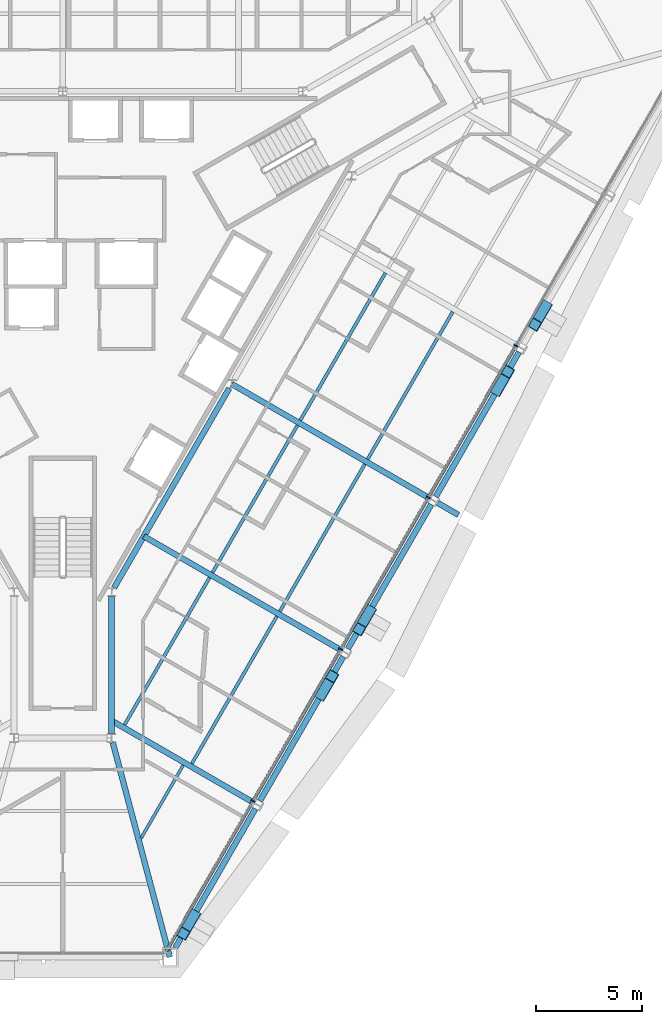
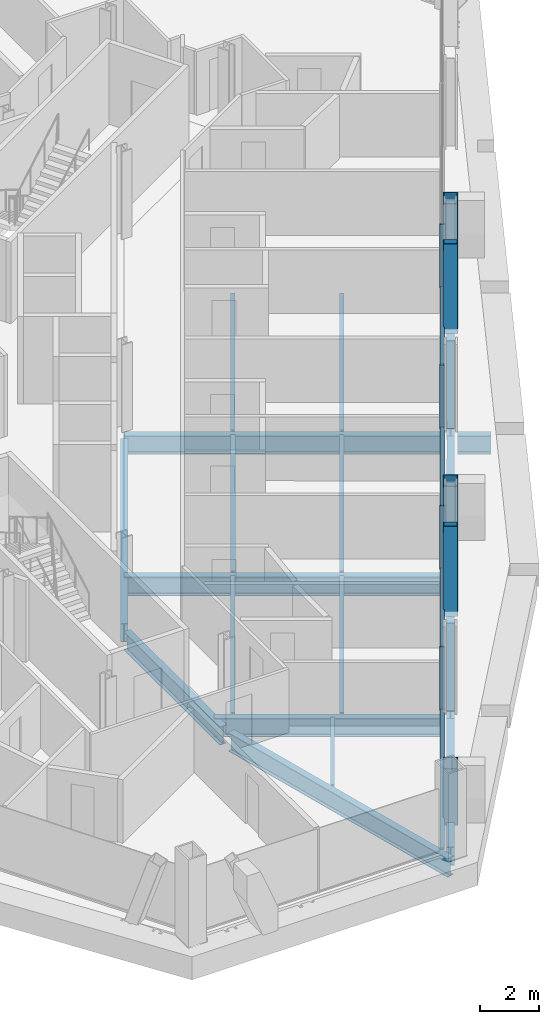
# One storey, part 5 of 17: 18 beams, 13 members, 1 element without a shape of its own.
"""IFC4 building model written with IfcOpenShell, lengths in metres."""

from ifc_helpers import new_model, si_unit, direction, frame, origin, origin_2d, place, context, subcontext, project, spatial, rectangle, hollow_rectangle, i_section, extrude, material, material_profile, profile_set, type_object, element, aggregate, save


model = new_model("IFC4")

# Units and contexts
model_context = context("Model", 3, precision=1e-05, world=origin(), true_north=direction((0.0, 1.0)))
body_context = subcontext(model_context, "Body", "Model", "MODEL_VIEW")
ifc_project = project(units=[si_unit("LENGTHUNIT", "METRE"), si_unit("AREAUNIT", "SQUARE_METRE"), si_unit("VOLUMEUNIT", "CUBIC_METRE"), si_unit("PLANEANGLEUNIT", "RADIAN"), si_unit("MASSUNIT", "GRAM", prefix="KILO")], contexts=[model_context])

# Site, building, storey
site_placement = place(None, origin())
site = spatial("IfcSite", under=ifc_project, at=site_placement, CompositionType="ELEMENT")
building_placement = place(site_placement, origin())
building = spatial("IfcBuilding", under=site, at=building_placement, Name="Verrane Prism Tower", CompositionType="ELEMENT")
storey_placement = place(building_placement, frame((0.0, 0.0, 136.0)))
storey = spatial("IfcBuildingStorey", under=building, at=storey_placement, Name="L33", CompositionType="ELEMENT", Elevation=136.0)

# Beams
ifc_material_1 = material(Name="Steel A992", Category="steel")
ifc_material_profile_1 = material_profile(ifc_material_1, i_section(OverallWidth=0.2666015625, OverallDepth=0.7568359375, WebThickness=0.013916015625, FlangeThickness=0.019287109375, FilletRadius=0.0166015625, at=origin_2d()), Name="W30x108")
ifc_profile_set_1 = profile_set([ifc_material_profile_1], Name="Steel A992")
beam_type_1 = type_object("IfcBeamType", Name="Core ring girder W30x108", PredefinedType="BEAM", material=ifc_profile_set_1)
beam_1_placement = place(storey_placement, frame((2.300048828125, -21.082763671875, -0.62841796875), z_axis=(0.0, 1.0, 0.0), x_axis=(-1.0, 0.0, 0.0)))
element("IfcBeam", 1, at=beam_1_placement, inside=storey, type_object=beam_type_1, Name="Core ring girder L33", PredefinedType="BEAM", context=body_context, shape_type="SweptSolid", body=[
    extrude(i_section(OverallWidth=0.2666015625, OverallDepth=0.7568359375, WebThickness=0.013916015625, FlangeThickness=0.019287109375, FilletRadius=0.0166015625, at=origin_2d()), origin(), (0.0, 0.0, 1.0), 6.46337890625),
])
beam_2_placement = place(storey_placement, frame((2.4150390625, -14.220703125, -0.62841796875), z_axis=(0.500034555306, 0.86600545235, 0.0), x_axis=(-0.86600545235, 0.500034555306, 0.0)))
element("IfcBeam", 2, at=beam_2_placement, inside=storey, type_object=beam_type_1, Name="Core ring girder L33", PredefinedType="BEAM", context=body_context, shape_type="SweptSolid", body=[
    extrude(i_section(OverallWidth=0.2666015625, OverallDepth=0.7568359375, WebThickness=0.013916015625, FlangeThickness=0.019287109375, FilletRadius=0.0166015625, at=origin_2d()), origin(), (0.0, 0.0, 1.0), 10.879150390625),
])
ifc_material_2 = material(Name="Steel A992", Category="steel")
ifc_material_profile_2 = material_profile(ifc_material_2, i_section(OverallWidth=0.2666015625, OverallDepth=0.76708984375, WebThickness=0.014892578125, FlangeThickness=0.023681640625, FilletRadius=0.0166015625, at=origin_2d()), Name="W30x124")
ifc_profile_set_2 = profile_set([ifc_material_profile_2], Name="Steel A992")
beam_type_2 = type_object("IfcBeamType", Name="Corner girder W30x124", PredefinedType="BEAM", material=ifc_profile_set_2)
beam_3_placement = place(storey_placement, frame((5.048828125, -31.6357421875, -0.603515625), z_axis=(-0.25700370652, 0.966410417387, 0.0), x_axis=(-0.966410417387, -0.25700370652, 0.0)))
element("IfcBeam", 3, at=beam_3_placement, inside=storey, type_object=beam_type_2, Name="Corner girder L33", PredefinedType="BEAM", context=body_context, shape_type="SweptSolid", body=[
    extrude(i_section(OverallWidth=0.2666015625, OverallDepth=0.76708984375, WebThickness=0.014892578125, FlangeThickness=0.023681640625, FilletRadius=0.0166015625, at=origin_2d()), origin(), (0.0, 0.0, 1.0), 10.470458984375),
])

# Members
ifc_material_3 = material(Name="Steel A1085 Grade A", Category="steel")
ifc_material_profile_3 = material_profile(ifc_material_3, hollow_rectangle(XDim=0.508056640625, YDim=0.508056640625, WallThickness=0.025390625, InnerFilletRadius=0.0126953125, OuterFilletRadius=0.0380859375, at=origin_2d()), Name="HSS20x20x1")
ifc_profile_set_3 = profile_set([ifc_material_profile_3], Name="Steel A1085 Grade A")
member_type_1 = type_object("IfcMemberType", Name="Facade brace HSS20x20x1", PredefinedType="BRACE", material=ifc_profile_set_3)
member_1_placement = place(storey_placement, frame((6.18408203125, -29.6728515625, -0.24267578125), z_axis=(-0.156036437753, -0.270673879917, 0.949941198614), x_axis=(0.866353965071, -0.499430482855, 0.0)))
element("IfcMember", 4, at=member_1_placement, inside=storey, type_object=member_type_1, Name="Facade brace SE0 L33", PredefinedType="BRACE", context=body_context, shape_type="SweptSolid", body=[
    extrude(hollow_rectangle(XDim=0.508056640625, YDim=0.508056640625, WallThickness=0.025390625, InnerFilletRadius=0.0126953125, OuterFilletRadius=0.0380859375, at=origin_2d()), origin(), (0.0, 0.0, 1.0), 3.166748046875),
])
for number, where, z_axis, x_axis, name in (
    (5, (12.202880859375, -19.2470703125, -0.24267578125), (0.156487685376, 0.270654316924, 0.949872541479), (-0.865713128384, 0.500540487217, 0.0), "Facade brace SE1 L33"),
    (6, (14.47705078125, -15.31298828125, -0.24267578125), (-0.156415747353, -0.270586137609, 0.949903814138), (0.86575820934, -0.500462509046, 0.0), "Facade brace SE2 L33"),
):
    element("IfcMember", number, at=place(storey_placement, frame(where, z_axis=z_axis, x_axis=x_axis)), inside=storey, type_object=member_type_1, Name=name, PredefinedType="BRACE", context=body_context, shape_type="SweptSolid", body=[
        extrude(hollow_rectangle(XDim=0.508056640625, YDim=0.508056640625, WallThickness=0.025390625, InnerFilletRadius=0.0126953125, OuterFilletRadius=0.0380859375, at=origin_2d()), origin(), (0.0, 0.0, 1.0), 3.1669921875),
    ])
member_2_placement = place(storey_placement, frame((20.495849609375, -4.8798828125, -0.24267578125), z_axis=(0.156020148581, 0.271031048622, 0.949842031035), x_axis=(-0.866661212793, 0.498897125908, 0.0)))
element("IfcMember", 7, at=member_2_placement, inside=storey, type_object=member_type_1, Name="Facade brace SE3 L33", PredefinedType="BRACE", context=body_context, shape_type="SweptSolid", body=[
    extrude(hollow_rectangle(XDim=0.508056640625, YDim=0.508056640625, WallThickness=0.025390625, InnerFilletRadius=0.0126953125, OuterFilletRadius=0.0380859375, at=origin_2d()), origin(), (0.0, 0.0, 1.0), 3.167236328125),
])
member_3_placement = place(storey_placement, frame((22.76708984375, -0.94287109375, -0.24267578125), z_axis=(-0.156487685376, -0.270654316924, 0.949872541479), x_axis=(0.865713128384, -0.500540487217, 0.0)))
element("IfcMember", 8, at=member_3_placement, inside=storey, type_object=member_type_1, Name="Facade brace SE4 L33", PredefinedType="BRACE", context=body_context, shape_type="SweptSolid", body=[
    extrude(hollow_rectangle(XDim=0.508056640625, YDim=0.508056640625, WallThickness=0.025390625, InnerFilletRadius=0.0126953125, OuterFilletRadius=0.0380859375, at=origin_2d()), origin(), (0.0, 0.0, 1.0), 3.1669921875),
])

# Beams
ifc_material_4 = material(Name="Steel A992", Category="steel")
ifc_material_profile_4 = material_profile(ifc_material_4, i_section(OverallWidth=0.140380859375, OverallDepth=0.40380859375, WebThickness=0.007080078125, FlangeThickness=0.01123046875, FilletRadius=0.01025390625, at=origin_2d()), Name="W16x31")
ifc_profile_set_4 = profile_set([ifc_material_profile_4], Name="Steel A992")
beam_type_3 = type_object("IfcBeamType", Name="Floor beam W16x31", PredefinedType="BEAM", material=ifc_profile_set_4)
beam_4_placement = place(storey_placement, frame((3.69482421875, -26.025390625, -0.36181640625), z_axis=(0.500073727646, 0.865982832923, 0.0), x_axis=(-0.865982832923, 0.500073727646, 0.0)))
element("IfcBeam", 9, at=beam_4_placement, inside=storey, type_object=beam_type_3, Name="Floor beam L33", PredefinedType="BEAM", context=body_context, shape_type="SweptSolid", body=[
    extrude(i_section(OverallWidth=0.140380859375, OverallDepth=0.40380859375, WebThickness=0.007080078125, FlangeThickness=0.01123046875, FilletRadius=0.01025390625, at=origin_2d()), origin(), (0.0, 0.0, 1.0), 3.970703125),
])
ifc_material_5 = material(Name="Steel A992", Category="steel")
ifc_material_profile_5 = material_profile(ifc_material_5, i_section(OverallWidth=0.15234375, OverallDepth=0.449462890625, WebThickness=0.007568359375, FlangeThickness=0.0107421875, FilletRadius=0.01025390625, at=origin_2d()), Name="W18x35")
ifc_profile_set_5 = profile_set([ifc_material_profile_5], Name="Steel A992")
beam_type_4 = type_object("IfcBeamType", Name="Floor beam W18x35", PredefinedType="BEAM", material=ifc_profile_set_5)
beam_5_placement = place(storey_placement, frame((6.0869140625, -22.51318359375, -0.384765625), z_axis=(0.499983128917, 0.86603514409, 0.0), x_axis=(-0.86603514409, 0.499983128917, 0.0)))
element("IfcBeam", 10, at=beam_5_placement, inside=storey, type_object=beam_type_4, Name="Floor beam L33", PredefinedType="BEAM", context=body_context, shape_type="SweptSolid", body=[
    extrude(i_section(OverallWidth=0.15234375, OverallDepth=0.449462890625, WebThickness=0.007568359375, FlangeThickness=0.0107421875, FilletRadius=0.01025390625, at=origin_2d()), origin(), (0.0, 0.0, 1.0), 8.026123046875),
])
for number, where, z_axis, x_axis, name in (
    (11, (2.913330078125, -20.68017578125, -0.384765625), (0.499992771462, 0.866029577143, 0.0), (-0.866029577143, 0.499992771462, 0.0), "Floor beam L33"),
    (12, (10.235595703125, -15.33251953125, -0.384765625), (0.500005942522, 0.86602197284, 0.0), (-0.86602197284, 0.500005942522, 0.0), "Floor beam L33"),
):
    element("IfcBeam", number, at=place(storey_placement, frame(where, z_axis=z_axis, x_axis=x_axis)), inside=storey, type_object=beam_type_4, Name=name, PredefinedType="BEAM", context=body_context, shape_type="SweptSolid", body=[
        extrude(i_section(OverallWidth=0.15234375, OverallDepth=0.449462890625, WebThickness=0.007568359375, FlangeThickness=0.0107421875, FilletRadius=0.01025390625, at=origin_2d()), origin(), (0.0, 0.0, 1.0), 8.0263671875),
    ])
beam_6_placement = place(storey_placement, frame((7.061279296875, -13.498291015625, -0.384765625), z_axis=(0.499996300355, 0.866027539765, 0.0), x_axis=(-0.866027539765, 0.499996300355, 0.0)))
element("IfcBeam", 13, at=beam_6_placement, inside=storey, type_object=beam_type_4, Name="Floor beam L33", PredefinedType="BEAM", context=body_context, shape_type="SweptSolid", body=[
    extrude(i_section(OverallWidth=0.15234375, OverallDepth=0.449462890625, WebThickness=0.007568359375, FlangeThickness=0.0107421875, FilletRadius=0.01025390625, at=origin_2d()), origin(), (0.0, 0.0, 1.0), 8.02587890625),
])
for number, where, z_axis, x_axis, name in (
    (14, (14.380615234375, -8.1494140625, -0.384765625), (0.500007577232, 0.866021029023, 0.0), (-0.866021029023, 0.500007577232, 0.0), "Floor beam L33"),
    (15, (11.20458984375, -6.314453125, -0.384765625), (0.500007577232, 0.866021029023, 0.0), (-0.866021029023, 0.500007577232, 0.0), "Floor beam L33"),
):
    element("IfcBeam", number, at=place(storey_placement, frame(where, z_axis=z_axis, x_axis=x_axis)), inside=storey, type_object=beam_type_4, Name=name, PredefinedType="BEAM", context=body_context, shape_type="SweptSolid", body=[
        extrude(i_section(OverallWidth=0.15234375, OverallDepth=0.449462890625, WebThickness=0.007568359375, FlangeThickness=0.0107421875, FilletRadius=0.01025390625, at=origin_2d()), origin(), (0.0, 0.0, 1.0), 8.02978515625),
    ])

# Curtain wall, members
ifc_material_6 = material(Name="Aluminium framed insulated glazing", Category="aluminium")
curtain_wall_type = type_object("IfcCurtainWallType", Name="Curtain wall CW-A 8400 module", PredefinedType="NOTDEFINED", material=ifc_material_6)
curtain_wall_placement = place(storey_placement, origin())
curtain_wall = element("IfcCurtainWall", 16, at=curtain_wall_placement, inside=storey, type_object=curtain_wall_type, Name="Glazed curtain wall south-east face L33", PredefinedType="NOTDEFINED")
ifc_material_7 = material(Name="Aluminium alloy 6063-T6", Category="aluminium")
ifc_material_profile_6 = material_profile(ifc_material_7, rectangle(XDim=0.199951171875, YDim=0.070068359375, at=origin_2d()), Name="Mullion 70x200 aluminium")
ifc_profile_set_6 = profile_set([ifc_material_profile_6], Name="Aluminium alloy 6063-T6")
member_type_2 = type_object("IfcMemberType", Name="Mullion 70x200 aluminium", PredefinedType="MULLION", material=ifc_profile_set_6)
member_4_placement = place(storey_placement, frame((8.975830078125, -24.275390625, 0.0), z_axis=(0.0, 0.0, 1.0), x_axis=(-0.866025120648, 0.500000490406, 0.0)))
member_4 = element("IfcMember", 17, at=member_4_placement, type_object=member_type_2, Name="CW32.6 mullion 2", PredefinedType="MULLION", context=body_context, shape_type="SweptSolid", body=[
    extrude(rectangle(XDim=0.199951171875, YDim=0.070068359375, at=origin_2d()), origin(), (0.0, 0.0, 1.0), 2.61279296875),
])
member_5_placement = place(storey_placement, frame((13.109619140625, -17.115478515625, 0.0), z_axis=(0.0, 0.0, 1.0), x_axis=(-0.866025120648, 0.500000490406, 0.0)))
member_5 = element("IfcMember", 18, at=member_5_placement, type_object=member_type_2, Name="CW32.6 mullion 3", PredefinedType="MULLION", context=body_context, shape_type="SweptSolid", body=[
    extrude(rectangle(XDim=0.199951171875, YDim=0.070068359375, at=origin_2d()), origin(), (0.0, 0.0, 1.0), 2.61279296875),
])
member_6_placement = place(storey_placement, frame((17.243408203125, -9.95556640625, 0.0), z_axis=(0.0, 0.0, 1.0), x_axis=(-0.866025120648, 0.500000490406, 0.0)))
member_6 = element("IfcMember", 19, at=member_6_placement, type_object=member_type_2, Name="CW32.6 mullion 4", PredefinedType="MULLION", context=body_context, shape_type="SweptSolid", body=[
    extrude(rectangle(XDim=0.199951171875, YDim=0.070068359375, at=origin_2d()), origin(), (0.0, 0.0, 1.0), 2.61279296875),
])
member_7_placement = place(storey_placement, frame((21.377197265625, -2.79541015625, 0.0), z_axis=(0.0, 0.0, 1.0), x_axis=(-0.866025120648, 0.500000490406, 0.0)))
member_7 = element("IfcMember", 20, at=member_7_placement, type_object=member_type_2, Name="CW32.6 mullion 5", PredefinedType="MULLION", context=body_context, shape_type="SweptSolid", body=[
    extrude(rectangle(XDim=0.199951171875, YDim=0.070068359375, at=origin_2d()), origin(), (0.0, 0.0, 1.0), 2.61279296875),
])

# Beams
ifc_material_8 = material(Name="Steel A992", Category="steel")
ifc_material_profile_7 = material_profile(ifc_material_8, i_section(OverallWidth=0.2666015625, OverallDepth=0.76708984375, WebThickness=0.014892578125, FlangeThickness=0.023681640625, FilletRadius=0.0166015625, at=origin_2d()), Name="W30x124")
ifc_profile_set_7 = profile_set([ifc_material_profile_7], Name="Steel A992")
beam_type_5 = type_object("IfcBeamType", Name="Radial girder W30x124", PredefinedType="BEAM", material=ifc_profile_set_7)
beam_7_placement = place(storey_placement, frame((8.9931640625, -24.34619140625, -0.603515625), z_axis=(-0.866039870605, 0.499974941895, 0.0), x_axis=(-0.499974941895, -0.866039870605, 0.0)))
element("IfcBeam", 21, at=beam_7_placement, inside=storey, type_object=beam_type_5, Name="Radial girder L33", PredefinedType="BEAM", context=body_context, shape_type="SweptSolid", body=[
    extrude(i_section(OverallWidth=0.2666015625, OverallDepth=0.76708984375, WebThickness=0.014892578125, FlangeThickness=0.023681640625, FilletRadius=0.0166015625, at=origin_2d()), origin(), (0.0, 0.0, 1.0), 7.728515625),
])
beam_8_placement = place(storey_placement, frame((13.14306640625, -17.166259765625, -0.603515625), z_axis=(-0.86602769501, 0.499996031459, 0.0), x_axis=(-0.499996031459, -0.86602769501, 0.0)))
element("IfcBeam", 22, at=beam_8_placement, inside=storey, type_object=beam_type_5, Name="Radial girder L33", PredefinedType="BEAM", context=body_context, shape_type="SweptSolid", body=[
    extrude(i_section(OverallWidth=0.2666015625, OverallDepth=0.76708984375, WebThickness=0.014892578125, FlangeThickness=0.023681640625, FilletRadius=0.0166015625, at=origin_2d()), origin(), (0.0, 0.0, 1.0), 10.76318359375),
])
beam_9_placement = place(storey_placement, frame((17.293212890625, -9.986328125, -0.603515625), z_axis=(-0.866028508142, 0.499994623057, 0.0), x_axis=(-0.499994623057, -0.866028508142, 0.0)))
element("IfcBeam", 23, at=beam_9_placement, inside=storey, type_object=beam_type_5, Name="Radial girder L33", PredefinedType="BEAM", context=body_context, shape_type="SweptSolid", body=[
    extrude(i_section(OverallWidth=0.2666015625, OverallDepth=0.76708984375, WebThickness=0.014892578125, FlangeThickness=0.023681640625, FilletRadius=0.0166015625, at=origin_2d()), origin(), (0.0, 0.0, 1.0), 10.76708984375),
])
beam_10_placement = place(storey_placement, frame((17.683349609375, -10.211669921875, -0.603515625), z_axis=(0.866031132047, -0.499990078228, 0.0), x_axis=(0.499990078228, 0.866031132047, 0.0)))
element("IfcBeam", 24, at=beam_10_placement, inside=storey, type_object=beam_type_5, Name="Cantilever girder L33", PredefinedType="BEAM", context=body_context, shape_type="SweptSolid", body=[
    extrude(i_section(OverallWidth=0.2666015625, OverallDepth=0.76708984375, WebThickness=0.014892578125, FlangeThickness=0.023681640625, FilletRadius=0.0166015625, at=origin_2d()), origin(), (0.0, 0.0, 1.0), 1.1318359375),
])
ifc_material_9 = material(Name="Steel A992", Category="steel")
ifc_material_profile_8 = material_profile(ifc_material_9, i_section(OverallWidth=0.2666015625, OverallDepth=0.7568359375, WebThickness=0.013916015625, FlangeThickness=0.019287109375, FilletRadius=0.0166015625, at=origin_2d()), Name="W30x108")
ifc_profile_set_8 = profile_set([ifc_material_profile_8], Name="Steel A992")
beam_type_6 = type_object("IfcBeamType", Name="Spandrel beam W30x108", PredefinedType="SPANDREL", material=ifc_profile_set_8)
beam_11_placement = place(storey_placement, frame((5.3095703125, -31.18994140625, -0.53857421875), z_axis=(0.499498748006, 0.866314608408, 0.0), x_axis=(-0.866314608408, 0.499498748006, 0.0)))
element("IfcBeam", 25, at=beam_11_placement, inside=storey, type_object=beam_type_6, Name="Spandrel beam L33", PredefinedType="SPANDREL", context=body_context, shape_type="SweptSolid", body=[
    extrude(i_section(OverallWidth=0.2666015625, OverallDepth=0.7568359375, WebThickness=0.013916015625, FlangeThickness=0.019287109375, FilletRadius=0.0166015625, at=origin_2d()), origin(), (0.0, 0.0, 1.0), 7.558837890625),
])
for number, where, z_axis, x_axis, name in (
    (26, (9.294921875, -24.278564453125, -0.53857421875), (0.500410353056, 0.865788356675, 0.0), (-0.865788356675, 0.500410353056, 0.0), "Spandrel beam L33"),
    (27, (13.44482421875, -17.0986328125, -0.53857421875), (0.500410353056, 0.865788356675, 0.0), (-0.865788356675, 0.500410353056, 0.0), "Spandrel beam L33"),
):
    element("IfcBeam", number, at=place(storey_placement, frame(where, z_axis=z_axis, x_axis=x_axis)), inside=storey, type_object=beam_type_6, Name=name, PredefinedType="SPANDREL", context=body_context, shape_type="SweptSolid", body=[
        extrude(i_section(OverallWidth=0.2666015625, OverallDepth=0.7568359375, WebThickness=0.013916015625, FlangeThickness=0.019287109375, FilletRadius=0.0166015625, at=origin_2d()), origin(), (0.0, 0.0, 1.0), 7.8740234375),
    ])
beam_12_placement = place(storey_placement, frame((17.594482421875, -9.91845703125, -0.53857421875), z_axis=(0.49898983609, 0.86660783719, 0.0), x_axis=(-0.86660783719, 0.49898983609, 0.0)))
element("IfcBeam", 28, at=beam_12_placement, inside=storey, type_object=beam_type_6, Name="Spandrel beam L33", PredefinedType="SPANDREL", context=body_context, shape_type="SweptSolid", body=[
    extrude(i_section(OverallWidth=0.2666015625, OverallDepth=0.7568359375, WebThickness=0.013916015625, FlangeThickness=0.019287109375, FilletRadius=0.0166015625, at=origin_2d()), origin(), (0.0, 0.0, 1.0), 7.877685546875),
])

# Member
ifc_material_10 = material(Name="Aluminium alloy 6063-T6", Category="aluminium")
ifc_material_profile_9 = material_profile(ifc_material_10, rectangle(XDim=0.14990234375, YDim=0.070068359375, at=origin_2d()), Name="Transom 70x150 aluminium")
ifc_profile_set_9 = profile_set([ifc_material_profile_9], Name="Aluminium alloy 6063-T6")
member_type_3 = type_object("IfcMemberType", Name="Transom 70x150 aluminium", PredefinedType="USERDEFINED", material=ifc_profile_set_9)
member_8_placement = place(storey_placement, frame((4.876953125, -31.375, 0.034912109375), z_axis=(0.499996028522, 0.866027696706, 0.0), x_axis=(-0.866027696706, 0.499996028522, 0.0)))
member_8 = element("IfcMember", 29, at=member_8_placement, type_object=member_type_3, Name="CW32.6 transom 1", ObjectType="TRANSOM", PredefinedType="USERDEFINED", context=body_context, shape_type="SweptSolid", body=[
    extrude(rectangle(XDim=0.14990234375, YDim=0.070068359375, at=origin_2d()), origin(), (0.0, 0.0, 1.0), 8.16259765625),
])

member_9_placement = place(storey_placement, frame((8.9931640625, -24.2451171875, 0.034912109375), z_axis=(0.500005171338, 0.866022418091, 0.0), x_axis=(-0.866022418091, 0.500005171338, 0.0)))
member_9 = element("IfcMember", 30, at=member_9_placement, type_object=member_type_3, Name="CW32.6 transom 2", ObjectType="TRANSOM", PredefinedType="USERDEFINED", context=body_context, shape_type="SweptSolid", body=[
    extrude(rectangle(XDim=0.14990234375, YDim=0.070068359375, at=origin_2d()), origin(), (0.0, 0.0, 1.0), 8.19775390625),
])

member_10_placement = place(storey_placement, frame((13.126953125, -17.085205078125, 0.034912109375), z_axis=(0.500005171338, 0.866022418091, 0.0), x_axis=(-0.866022418091, 0.500005171338, 0.0)))
member_10 = element("IfcMember", 31, at=member_10_placement, type_object=member_type_3, Name="CW32.6 transom 3", ObjectType="TRANSOM", PredefinedType="USERDEFINED", context=body_context, shape_type="SweptSolid", body=[
    extrude(rectangle(XDim=0.14990234375, YDim=0.070068359375, at=origin_2d()), origin(), (0.0, 0.0, 1.0), 8.19775390625),
])

member_11_placement = place(storey_placement, frame((17.260986328125, -9.92529296875, 0.034912109375), z_axis=(0.499982834708, 0.866035313943, 0.0), x_axis=(-0.866035313943, 0.499982834708, 0.0)))
member_11 = element("IfcMember", 32, at=member_11_placement, type_object=member_type_3, Name="CW32.6 transom 4", ObjectType="TRANSOM", PredefinedType="USERDEFINED", context=body_context, shape_type="SweptSolid", body=[
    extrude(rectangle(XDim=0.14990234375, YDim=0.070068359375, at=origin_2d()), origin(), (0.0, 0.0, 1.0), 8.197509765625),
])

aggregate(curtain_wall, [member_4, member_5, member_6, member_7, member_8, member_9, member_10, member_11])

save(model, "model.ifc")
